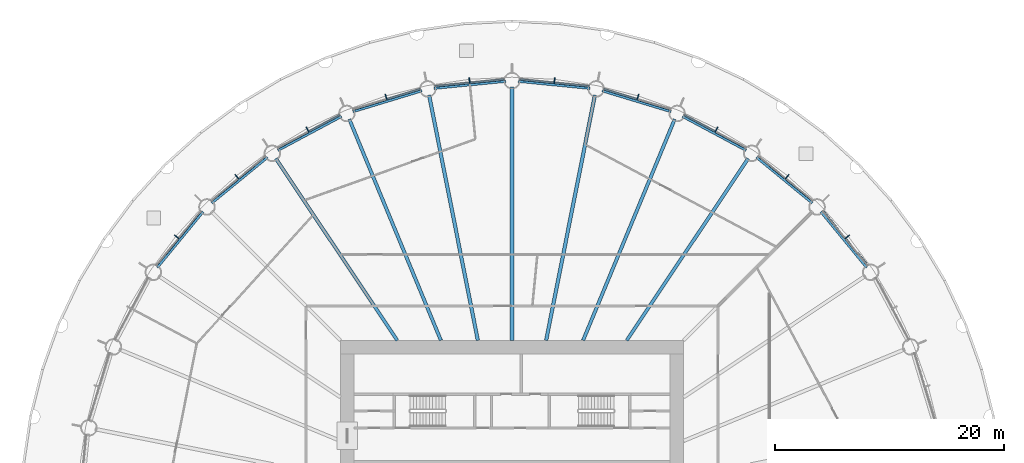
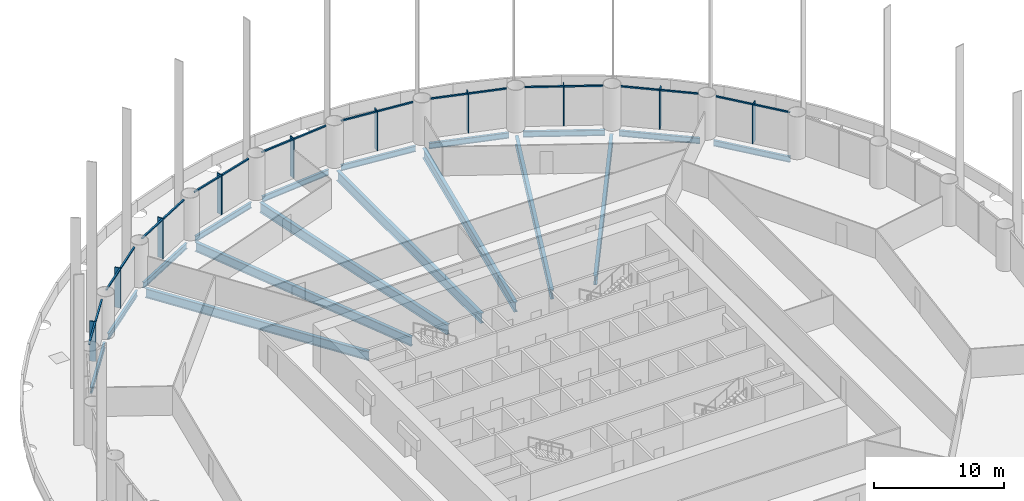
# One storey, part 5 of 17: 30 members, 17 beams, 10 elements without a shape of their own.
"""IFC4 building model written with IfcOpenShell, lengths in metres."""

from ifc_helpers import new_model, si_unit, direction, frame, origin, origin_2d, place, context, subcontext, project, spatial, rectangle, i_section, extrude, material, material_profile, profile_set, type_object, element, aggregate, save


model = new_model("IFC4")

# Units and contexts
model_context = context("Model", 3, precision=1e-05, world=origin(), true_north=direction((0.0, 1.0)))
body_context = subcontext(model_context, "Body", "Model", "MODEL_VIEW")
ifc_project = project(units=[si_unit("LENGTHUNIT", "METRE"), si_unit("AREAUNIT", "SQUARE_METRE"), si_unit("VOLUMEUNIT", "CUBIC_METRE"), si_unit("PLANEANGLEUNIT", "RADIAN"), si_unit("MASSUNIT", "GRAM", prefix="KILO")], contexts=[model_context])

# Site, building, storey
site_placement = place(None, origin())
site = spatial("IfcSite", under=ifc_project, at=site_placement, CompositionType="ELEMENT")
building_placement = place(site_placement, origin())
building = spatial("IfcBuilding", under=site, at=building_placement, Name="Corvane Civic Tower", CompositionType="ELEMENT")
storey_placement = place(building_placement, frame((0.0, 0.0, 37.0)))
storey = spatial("IfcBuildingStorey", under=building, at=storey_placement, Name="L07", CompositionType="ELEMENT", Elevation=37.0)

# Beams
ifc_material_1 = material(Name="Steel ASTM A992 Gr 50", Category="steel")
ifc_material_profile_1 = material_profile(ifc_material_1, i_section(OverallWidth=0.209228515625, OverallDepth=0.533447265625, WebThickness=0.01025390625, FlangeThickness=0.015625, at=origin_2d()), Name="W21X62")
ifc_profile_set_1 = profile_set([ifc_material_profile_1], Name="Steel ASTM A992 Gr 50")
beam_type_1 = type_object("IfcBeamType", Name="EDGE BEAM W21X62", PredefinedType="BEAM", material=ifc_profile_set_1)
beam_1_placement = place(storey_placement, frame((0.54736328125, 37.64599609375, -0.566650390625), z_axis=(0.995186682089, -0.097997284622, 0.0), x_axis=(0.097997284622, 0.995186682089, 0.0)))
element("IfcBeam", 1, at=beam_1_placement, inside=storey, type_object=beam_type_1, Name="BM-L07-E01", PredefinedType="BEAM", context=body_context, shape_type="SweptSolid", body=[
    extrude(i_section(OverallWidth=0.209228515625, OverallDepth=0.533447265625, WebThickness=0.01025390625, FlangeThickness=0.015625, at=origin_2d()), origin(), (0.0, 0.0, 1.0), 6.29052734375),
])
for number, where, z_axis, x_axis, name in (
    (2, (7.88134765625, 36.81591796875, -0.566650390625), (0.956943740748, -0.290273452184, 0.0), (0.290273452184, 0.956943740748, 0.0), "BM-L07-E02"),
    (3, (14.912353515625, 34.571044921875, -0.566650390625), (0.881916367906, -0.471405897311, 0.0), (0.471405897311, 0.881916367906, 0.0), "BM-L07-E03"),
):
    element("IfcBeam", number, at=place(storey_placement, frame(where, z_axis=z_axis, x_axis=x_axis)), inside=storey, type_object=beam_type_1, Name=name, PredefinedType="BEAM", context=body_context, shape_type="SweptSolid", body=[
        extrude(i_section(OverallWidth=0.209228515625, OverallDepth=0.533447265625, WebThickness=0.01025390625, FlangeThickness=0.015625, at=origin_2d()), origin(), (0.0, 0.0, 1.0), 6.290283203125),
    ])
for number, where, z_axis, x_axis, name in (
    (4, (21.3701171875, 30.99755859375, -0.566650390625), (0.773015785286, -0.634386787141, 0.0), (0.634386787141, 0.773015785286, 0.0), "BM-L07-E04"),
    (5, (27.0068359375, 26.23291015625, -0.566650390625), (0.634386787141, -0.773015785286, 0.0), (0.773015785286, 0.634386787141, 0.0), "BM-L07-E05"),
    (6, (-30.99755859375, 21.3701171875, -0.566650390625), (0.634386787141, 0.773015785286, 0.0), (-0.773015785286, 0.634386787141, 0.0), "BM-L07-E28"),
    (7, (-26.23291015625, 27.0068359375, -0.566650390625), (0.773015785286, 0.634386787141, 0.0), (-0.634386787141, 0.773015785286, 0.0), "BM-L07-E29"),
):
    element("IfcBeam", number, at=place(storey_placement, frame(where, z_axis=z_axis, x_axis=x_axis)), inside=storey, type_object=beam_type_1, Name=name, PredefinedType="BEAM", context=body_context, shape_type="SweptSolid", body=[
        extrude(i_section(OverallWidth=0.209228515625, OverallDepth=0.533447265625, WebThickness=0.01025390625, FlangeThickness=0.015625, at=origin_2d()), origin(), (0.0, 0.0, 1.0), 6.290771484375),
    ])
for number, where, z_axis, x_axis, name in (
    (8, (-20.4599609375, 31.605712890625, -0.566650390625), (0.881916367906, 0.471405897311, 0.0), (-0.471405897311, 0.881916367906, 0.0), "BM-L07-E30"),
    (9, (-13.90087890625, 34.989990234375, -0.566650390625), (0.956943740748, 0.290273452184, 0.0), (-0.290273452184, 0.956943740748, 0.0), "BM-L07-E31"),
):
    element("IfcBeam", number, at=place(storey_placement, frame(where, z_axis=z_axis, x_axis=x_axis)), inside=storey, type_object=beam_type_1, Name=name, PredefinedType="BEAM", context=body_context, shape_type="SweptSolid", body=[
        extrude(i_section(OverallWidth=0.209228515625, OverallDepth=0.533447265625, WebThickness=0.01025390625, FlangeThickness=0.015625, at=origin_2d()), origin(), (0.0, 0.0, 1.0), 6.290283203125),
    ])
beam_2_placement = place(storey_placement, frame((-6.8076171875, 37.029541015625, -0.566650390625), z_axis=(0.995186682089, 0.097997284622, 0.0), x_axis=(-0.097997284622, 0.995186682089, 0.0)))
element("IfcBeam", 10, at=beam_2_placement, inside=storey, type_object=beam_type_1, Name="BM-L07-E32", PredefinedType="BEAM", context=body_context, shape_type="SweptSolid", body=[
    extrude(i_section(OverallWidth=0.209228515625, OverallDepth=0.533447265625, WebThickness=0.01025390625, FlangeThickness=0.015625, at=origin_2d()), origin(), (0.0, 0.0, 1.0), 6.29052734375),
])
ifc_material_2 = material(Name="Steel ASTM A992 Gr 50", Category="steel")
ifc_material_profile_2 = material_profile(ifc_material_2, i_section(OverallWidth=0.2919921875, OverallDepth=0.8583984375, WebThickness=0.01708984375, FlangeThickness=0.031005859375, at=origin_2d()), Name="W33X169")
ifc_profile_set_2 = profile_set([ifc_material_profile_2], Name="Steel ASTM A992 Gr 50")
beam_type_2 = type_object("IfcBeamType", Name="FLOOR GIRDER W33X169", PredefinedType="BEAM", material=ifc_profile_set_2)
beam_3_placement = place(storey_placement, frame((6.213134765625, 15.0, -0.729248046875), z_axis=(0.382692360381, 0.923875834355, 0.0), x_axis=(-0.923875834355, 0.382692360381, 0.0)))
element("IfcBeam", 11, at=beam_3_placement, inside=storey, type_object=beam_type_2, Name="BM-L07-G03", PredefinedType="BEAM", context=body_context, shape_type="SweptSolid", body=[
    extrude(i_section(OverallWidth=0.2919921875, OverallDepth=0.8583984375, WebThickness=0.01708984375, FlangeThickness=0.031005859375, at=origin_2d()), origin(), (0.0, 0.0, 1.0), 20.9140625),
])
for number, where, z_axis, x_axis, name in (
    (12, (10.022705078125, 15.0, -0.729248046875), (0.555566681385, 0.831471985418, 0.0), (-0.831471985418, 0.555566681385, 0.0), "BM-L07-G04"),
    (13, (-10.022705078125, 15.0, -0.729248046875), (-0.555566681385, 0.831471985418, 0.0), (-0.831471985418, -0.555566681385, 0.0), "BM-L07-G30"),
):
    element("IfcBeam", number, at=place(storey_placement, frame(where, z_axis=z_axis, x_axis=x_axis)), inside=storey, type_object=beam_type_2, Name=name, PredefinedType="BEAM", context=body_context, shape_type="SweptSolid", body=[
        extrude(i_section(OverallWidth=0.2919921875, OverallDepth=0.8583984375, WebThickness=0.01708984375, FlangeThickness=0.031005859375, at=origin_2d()), origin(), (0.0, 0.0, 1.0), 19.109619140625),
    ])
beam_4_placement = place(storey_placement, frame((-6.213134765625, 15.0, -0.729248046875), z_axis=(-0.382692360381, 0.923875834355, 0.0), x_axis=(-0.923875834355, -0.382692360381, 0.0)))
element("IfcBeam", 14, at=beam_4_placement, inside=storey, type_object=beam_type_2, Name="BM-L07-G31", PredefinedType="BEAM", context=body_context, shape_type="SweptSolid", body=[
    extrude(i_section(OverallWidth=0.2919921875, OverallDepth=0.8583984375, WebThickness=0.01708984375, FlangeThickness=0.031005859375, at=origin_2d()), origin(), (0.0, 0.0, 1.0), 20.9140625),
])
ifc_material_3 = material(Name="Steel ASTM A992 Gr 50", Category="steel")
ifc_material_profile_3 = material_profile(ifc_material_3, i_section(OverallWidth=0.307373046875, OverallDepth=0.927001953125, WebThickness=0.01953125, FlangeThickness=0.031982421875, at=origin_2d()), Name="W36X194")
ifc_profile_set_3 = profile_set([ifc_material_profile_3], Name="Steel ASTM A992 Gr 50")
beam_type_3 = type_object("IfcBeamType", Name="FLOOR GIRDER W36X194", PredefinedType="BEAM", material=ifc_profile_set_3)
beam_5_placement = place(storey_placement, frame((0.0, 15.0, -0.763671875), z_axis=(0.0, 1.0, 0.0), x_axis=(-1.0, 0.0, 0.0)))
element("IfcBeam", 15, at=beam_5_placement, inside=storey, type_object=beam_type_3, Name="BM-L07-G01", PredefinedType="BEAM", context=body_context, shape_type="SweptSolid", body=[
    extrude(i_section(OverallWidth=0.307373046875, OverallDepth=0.927001953125, WebThickness=0.01953125, FlangeThickness=0.031982421875, at=origin_2d()), origin(), (0.0, 0.0, 1.0), 22.14990234375),
])
for number, where, z_axis, x_axis, name in (
    (16, (2.983642578125, 15.0, -0.763671875), (0.195089219638, 0.980785499679, 0.0), (-0.980785499679, 0.195089219638, 0.0), "BM-L07-G02"),
    (17, (-2.983642578125, 15.0, -0.763671875), (-0.195089219638, 0.980785499679, 0.0), (-0.980785499679, -0.195089219638, 0.0), "BM-L07-G32"),
):
    element("IfcBeam", number, at=place(storey_placement, frame(where, z_axis=z_axis, x_axis=x_axis)), inside=storey, type_object=beam_type_3, Name=name, PredefinedType="BEAM", context=body_context, shape_type="SweptSolid", body=[
        extrude(i_section(OverallWidth=0.307373046875, OverallDepth=0.927001953125, WebThickness=0.01953125, FlangeThickness=0.031982421875, at=origin_2d()), origin(), (0.0, 0.0, 1.0), 21.856201171875),
    ])

# Curtain wall, members
ifc_material_4 = material(Name="Anodised aluminium bronze", Category="aluminium")
curtain_wall_type = type_object("IfcCurtainWallType", Name="TOWER CW-T1 STICK CURTAIN WALL", PredefinedType="NOTDEFINED", material=ifc_material_4)
curtain_wall_1_placement = place(storey_placement, origin())
curtain_wall_1 = element("IfcCurtainWall", 18, at=curtain_wall_1_placement, inside=storey, type_object=curtain_wall_type, Name="Curtain wall CW-T1 L07 bay 01", PredefinedType="NOTDEFINED")
ifc_material_5 = material(Name="Anodised aluminium bronze", Category="aluminium")
ifc_material_profile_4 = material_profile(ifc_material_5, rectangle(XDim=0.139892578125, YDim=0.1201171875, at=origin_2d()), Name="TOWER CW-T1 TRANSOM 140x120")
ifc_profile_set_4 = profile_set([ifc_material_profile_4], Name="Anodised aluminium bronze")
member_type_1 = type_object("IfcMemberType", Name="TOWER CW-T1 TRANSOM 140x120", PredefinedType="USERDEFINED", material=ifc_profile_set_4)
member_1_placement = place(storey_placement, frame((0.6611328125, 37.814697265625, 3.68994140625), z_axis=(0.995191836722, -0.097944923917, 0.0), x_axis=(0.097944923917, 0.995191836722, 0.0)))
member_1 = element("IfcMember", 19, at=member_1_placement, type_object=member_type_1, Name="Transom CW-T1 L07 01.1", ObjectType="TRANSOM", PredefinedType="USERDEFINED", context=body_context, shape_type="SweptSolid", body=[
    extrude(rectangle(XDim=0.139892578125, YDim=0.1201171875, at=origin_2d()), origin(), (0.0, 0.0, 1.0), 3.008544921875),
])
member_2_placement = place(storey_placement, frame((3.73486328125, 37.511962890625, 3.68994140625), z_axis=(0.995191836722, -0.097944923917, 0.0), x_axis=(0.097944923917, 0.995191836722, 0.0)))
member_2 = element("IfcMember", 20, at=member_2_placement, type_object=member_type_1, Name="Transom CW-T1 L07 01.2", ObjectType="TRANSOM", PredefinedType="USERDEFINED", context=body_context, shape_type="SweptSolid", body=[
    extrude(rectangle(XDim=0.139892578125, YDim=0.1201171875, at=origin_2d()), origin(), (0.0, 0.0, 1.0), 3.008544921875),
])

curtain_wall_2_placement = place(storey_placement, origin())
curtain_wall_2 = element("IfcCurtainWall", 21, at=curtain_wall_2_placement, inside=storey, type_object=curtain_wall_type, Name="Curtain wall CW-T1 L07 bay 02", PredefinedType="NOTDEFINED")
member_3_placement = place(storey_placement, frame((8.02587890625, 36.959228515625, 3.68994140625), z_axis=(0.956941780555, -0.290279914268, 0.0), x_axis=(0.290279914268, 0.956941780555, 0.0)))
member_3 = element("IfcMember", 22, at=member_3_placement, type_object=member_type_1, Name="Transom CW-T1 L07 02.1", ObjectType="TRANSOM", PredefinedType="USERDEFINED", context=body_context, shape_type="SweptSolid", body=[
    extrude(rectangle(XDim=0.139892578125, YDim=0.1201171875, at=origin_2d()), origin(), (0.0, 0.0, 1.0), 3.008544921875),
])
member_4_placement = place(storey_placement, frame((10.9814453125, 36.062744140625, 3.68994140625), z_axis=(0.956941780555, -0.290279914268, 0.0), x_axis=(0.290279914268, 0.956941780555, 0.0)))
member_4 = element("IfcMember", 23, at=member_4_placement, type_object=member_type_1, Name="Transom CW-T1 L07 02.2", ObjectType="TRANSOM", PredefinedType="USERDEFINED", context=body_context, shape_type="SweptSolid", body=[
    extrude(rectangle(XDim=0.139892578125, YDim=0.1201171875, at=origin_2d()), origin(), (0.0, 0.0, 1.0), 3.008544921875),
])

curtain_wall_3_placement = place(storey_placement, origin())
curtain_wall_3 = element("IfcCurtainWall", 24, at=curtain_wall_3_placement, inside=storey, type_object=curtain_wall_type, Name="Curtain wall CW-T1 L07 bay 03", PredefinedType="NOTDEFINED")
member_5_placement = place(storey_placement, frame((15.08203125, 34.683349609375, 3.68994140625), z_axis=(0.881923525532, -0.471392506424, 0.0), x_axis=(0.471392506424, 0.881923525532, 0.0)))
member_5 = element("IfcMember", 25, at=member_5_placement, type_object=member_type_1, Name="Transom CW-T1 L07 03.1", ObjectType="TRANSOM", PredefinedType="USERDEFINED", context=body_context, shape_type="SweptSolid", body=[
    extrude(rectangle(XDim=0.139892578125, YDim=0.1201171875, at=origin_2d()), origin(), (0.0, 0.0, 1.0), 3.008544921875),
])
member_6_placement = place(storey_placement, frame((17.805908203125, 33.2275390625, 3.68994140625), z_axis=(0.881923525532, -0.471392506424, 0.0), x_axis=(0.471392506424, 0.881923525532, 0.0)))
member_6 = element("IfcMember", 26, at=member_6_placement, type_object=member_type_1, Name="Transom CW-T1 L07 03.2", ObjectType="TRANSOM", PredefinedType="USERDEFINED", context=body_context, shape_type="SweptSolid", body=[
    extrude(rectangle(XDim=0.139892578125, YDim=0.1201171875, at=origin_2d()), origin(), (0.0, 0.0, 1.0), 3.008544921875),
])

curtain_wall_4_placement = place(storey_placement, origin())
curtain_wall_4 = element("IfcCurtainWall", 27, at=curtain_wall_4_placement, inside=storey, type_object=curtain_wall_type, Name="Curtain wall CW-T1 L07 bay 04", PredefinedType="NOTDEFINED")
member_7_placement = place(storey_placement, frame((21.55859375, 31.074462890625, 3.68994140625), z_axis=(0.773041738279, -0.634355161466, 0.0), x_axis=(0.634355161466, 0.773041738279, 0.0)))
member_7 = element("IfcMember", 28, at=member_7_placement, type_object=member_type_1, Name="Transom CW-T1 L07 04.1", ObjectType="TRANSOM", PredefinedType="USERDEFINED", context=body_context, shape_type="SweptSolid", body=[
    extrude(rectangle(XDim=0.139892578125, YDim=0.1201171875, at=origin_2d()), origin(), (0.0, 0.0, 1.0), 3.008544921875),
])
member_8_placement = place(storey_placement, frame((23.946044921875, 29.115234375, 3.68994140625), z_axis=(0.773001943873, -0.634403652865, 0.0), x_axis=(0.634403652865, 0.773001943873, 0.0)))
member_8 = element("IfcMember", 29, at=member_8_placement, type_object=member_type_1, Name="Transom CW-T1 L07 04.2", ObjectType="TRANSOM", PredefinedType="USERDEFINED", context=body_context, shape_type="SweptSolid", body=[
    extrude(rectangle(XDim=0.139892578125, YDim=0.1201171875, at=origin_2d()), origin(), (0.0, 0.0, 1.0), 3.008544921875),
])

curtain_wall_5_placement = place(storey_placement, origin())
curtain_wall_5 = element("IfcCurtainWall", 30, at=curtain_wall_5_placement, inside=storey, type_object=curtain_wall_type, Name="Curtain wall CW-T1 L07 bay 05", PredefinedType="NOTDEFINED")
member_9_placement = place(storey_placement, frame((27.20654296875, 26.271728515625, 3.68994140625), z_axis=(0.634403652865, -0.773001943873, 0.0), x_axis=(0.773001943873, 0.634403652865, 0.0)))
member_9 = element("IfcMember", 31, at=member_9_placement, type_object=member_type_1, Name="Transom CW-T1 L07 05.1", ObjectType="TRANSOM", PredefinedType="USERDEFINED", context=body_context, shape_type="SweptSolid", body=[
    extrude(rectangle(XDim=0.139892578125, YDim=0.1201171875, at=origin_2d()), origin(), (0.0, 0.0, 1.0), 3.008544921875),
])
member_10_placement = place(storey_placement, frame((29.166015625, 23.88427734375, 3.68994140625), z_axis=(0.634355161466, -0.773041738279, 0.0), x_axis=(0.773041738279, 0.634355161466, 0.0)))
member_10 = element("IfcMember", 32, at=member_10_placement, type_object=member_type_1, Name="Transom CW-T1 L07 05.2", ObjectType="TRANSOM", PredefinedType="USERDEFINED", context=body_context, shape_type="SweptSolid", body=[
    extrude(rectangle(XDim=0.139892578125, YDim=0.1201171875, at=origin_2d()), origin(), (0.0, 0.0, 1.0), 3.008544921875),
])

curtain_wall_6_placement = place(storey_placement, origin())
curtain_wall_6 = element("IfcCurtainWall", 33, at=curtain_wall_6_placement, inside=storey, type_object=curtain_wall_type, Name="Curtain wall CW-T1 L07 bay 28", PredefinedType="NOTDEFINED")
member_11_placement = place(storey_placement, frame((-31.074462890625, 21.55859375, 3.68994140625), z_axis=(0.634355161466, 0.773041738279, 0.0), x_axis=(-0.773041738279, 0.634355161466, 0.0)))
member_11 = element("IfcMember", 34, at=member_11_placement, type_object=member_type_1, Name="Transom CW-T1 L07 28.1", ObjectType="TRANSOM", PredefinedType="USERDEFINED", context=body_context, shape_type="SweptSolid", body=[
    extrude(rectangle(XDim=0.139892578125, YDim=0.1201171875, at=origin_2d()), origin(), (0.0, 0.0, 1.0), 3.008544921875),
])
member_12_placement = place(storey_placement, frame((-29.115234375, 23.946044921875, 3.68994140625), z_axis=(0.634403652865, 0.773001943873, 0.0), x_axis=(-0.773001943873, 0.634403652865, 0.0)))
member_12 = element("IfcMember", 35, at=member_12_placement, type_object=member_type_1, Name="Transom CW-T1 L07 28.2", ObjectType="TRANSOM", PredefinedType="USERDEFINED", context=body_context, shape_type="SweptSolid", body=[
    extrude(rectangle(XDim=0.139892578125, YDim=0.1201171875, at=origin_2d()), origin(), (0.0, 0.0, 1.0), 3.008544921875),
])

curtain_wall_7_placement = place(storey_placement, origin())
curtain_wall_7 = element("IfcCurtainWall", 36, at=curtain_wall_7_placement, inside=storey, type_object=curtain_wall_type, Name="Curtain wall CW-T1 L07 bay 29", PredefinedType="NOTDEFINED")
member_13_placement = place(storey_placement, frame((-26.271728515625, 27.20654296875, 3.68994140625), z_axis=(0.773001943873, 0.634403652865, 0.0), x_axis=(-0.634403652865, 0.773001943873, 0.0)))
member_13 = element("IfcMember", 37, at=member_13_placement, type_object=member_type_1, Name="Transom CW-T1 L07 29.1", ObjectType="TRANSOM", PredefinedType="USERDEFINED", context=body_context, shape_type="SweptSolid", body=[
    extrude(rectangle(XDim=0.139892578125, YDim=0.1201171875, at=origin_2d()), origin(), (0.0, 0.0, 1.0), 3.008544921875),
])
member_14_placement = place(storey_placement, frame((-23.88427734375, 29.166015625, 3.68994140625), z_axis=(0.773041738279, 0.634355161466, 0.0), x_axis=(-0.634355161466, 0.773041738279, 0.0)))
member_14 = element("IfcMember", 38, at=member_14_placement, type_object=member_type_1, Name="Transom CW-T1 L07 29.2", ObjectType="TRANSOM", PredefinedType="USERDEFINED", context=body_context, shape_type="SweptSolid", body=[
    extrude(rectangle(XDim=0.139892578125, YDim=0.1201171875, at=origin_2d()), origin(), (0.0, 0.0, 1.0), 3.008544921875),
])

curtain_wall_8_placement = place(storey_placement, origin())
curtain_wall_8 = element("IfcCurtainWall", 39, at=curtain_wall_8_placement, inside=storey, type_object=curtain_wall_type, Name="Curtain wall CW-T1 L07 bay 30", PredefinedType="NOTDEFINED")
member_15_placement = place(storey_placement, frame((-20.459228515625, 31.809326171875, 3.68994140625), z_axis=(0.881923525532, 0.471392506424, 0.0), x_axis=(-0.471392506424, 0.881923525532, 0.0)))
member_15 = element("IfcMember", 40, at=member_15_placement, type_object=member_type_1, Name="Transom CW-T1 L07 30.1", ObjectType="TRANSOM", PredefinedType="USERDEFINED", context=body_context, shape_type="SweptSolid", body=[
    extrude(rectangle(XDim=0.139892578125, YDim=0.1201171875, at=origin_2d()), origin(), (0.0, 0.0, 1.0), 3.008544921875),
])
member_16_placement = place(storey_placement, frame((-17.7353515625, 33.26513671875, 3.68994140625), z_axis=(0.881923525532, 0.471392506424, 0.0), x_axis=(-0.471392506424, 0.881923525532, 0.0)))
member_16 = element("IfcMember", 41, at=member_16_placement, type_object=member_type_1, Name="Transom CW-T1 L07 30.2", ObjectType="TRANSOM", PredefinedType="USERDEFINED", context=body_context, shape_type="SweptSolid", body=[
    extrude(rectangle(XDim=0.139892578125, YDim=0.1201171875, at=origin_2d()), origin(), (0.0, 0.0, 1.0), 3.008544921875),
])

curtain_wall_9_placement = place(storey_placement, origin())
curtain_wall_9 = element("IfcCurtainWall", 42, at=curtain_wall_9_placement, inside=storey, type_object=curtain_wall_type, Name="Curtain wall CW-T1 L07 bay 31", PredefinedType="NOTDEFINED")
member_17_placement = place(storey_placement, frame((-13.8603515625, 35.189453125, 3.68994140625), z_axis=(0.956941780555, 0.290279914268, 0.0), x_axis=(-0.290279914268, 0.956941780555, 0.0)))
member_17 = element("IfcMember", 43, at=member_17_placement, type_object=member_type_1, Name="Transom CW-T1 L07 31.1", ObjectType="TRANSOM", PredefinedType="USERDEFINED", context=body_context, shape_type="SweptSolid", body=[
    extrude(rectangle(XDim=0.139892578125, YDim=0.1201171875, at=origin_2d()), origin(), (0.0, 0.0, 1.0), 3.008544921875),
])
member_18_placement = place(storey_placement, frame((-10.90478515625, 36.0859375, 3.68994140625), z_axis=(0.956941780555, 0.290279914268, 0.0), x_axis=(-0.290279914268, 0.956941780555, 0.0)))
member_18 = element("IfcMember", 44, at=member_18_placement, type_object=member_type_1, Name="Transom CW-T1 L07 31.2", ObjectType="TRANSOM", PredefinedType="USERDEFINED", context=body_context, shape_type="SweptSolid", body=[
    extrude(rectangle(XDim=0.139892578125, YDim=0.1201171875, at=origin_2d()), origin(), (0.0, 0.0, 1.0), 3.008544921875),
])

curtain_wall_10_placement = place(storey_placement, origin())
curtain_wall_10 = element("IfcCurtainWall", 45, at=curtain_wall_10_placement, inside=storey, type_object=curtain_wall_type, Name="Curtain wall CW-T1 L07 bay 32", PredefinedType="NOTDEFINED")
member_19_placement = place(storey_placement, frame((-6.72900390625, 37.21728515625, 3.68994140625), z_axis=(0.995191836722, 0.097944923917, 0.0), x_axis=(-0.097944923917, 0.995191836722, 0.0)))
member_19 = element("IfcMember", 46, at=member_19_placement, type_object=member_type_1, Name="Transom CW-T1 L07 32.1", ObjectType="TRANSOM", PredefinedType="USERDEFINED", context=body_context, shape_type="SweptSolid", body=[
    extrude(rectangle(XDim=0.139892578125, YDim=0.1201171875, at=origin_2d()), origin(), (0.0, 0.0, 1.0), 3.008544921875),
])
member_20_placement = place(storey_placement, frame((-3.6552734375, 37.52001953125, 3.68994140625), z_axis=(0.995191836722, 0.097944923917, 0.0), x_axis=(-0.097944923917, 0.995191836722, 0.0)))
member_20 = element("IfcMember", 47, at=member_20_placement, type_object=member_type_1, Name="Transom CW-T1 L07 32.2", ObjectType="TRANSOM", PredefinedType="USERDEFINED", context=body_context, shape_type="SweptSolid", body=[
    extrude(rectangle(XDim=0.139892578125, YDim=0.1201171875, at=origin_2d()), origin(), (0.0, 0.0, 1.0), 3.008544921875),
])

# Member
ifc_material_6 = material(Name="Anodised aluminium bronze", Category="aluminium")
ifc_material_profile_5 = material_profile(ifc_material_6, rectangle(XDim=0.080078125, YDim=0.5, at=origin_2d()), Name="TOWER FIN MULLION 80x500 BRONZE")
ifc_profile_set_5 = profile_set([ifc_material_profile_5], Name="Anodised aluminium bronze")
member_type_2 = type_object("IfcMemberType", Name="TOWER FIN MULLION 80x500 BRONZE", PredefinedType="MULLION", material=ifc_profile_set_5)
member_21_placement = place(storey_placement, frame((3.714599609375, 37.715087890625, 0.0), z_axis=(0.0, 0.0, 1.0), x_axis=(0.995185800248, -0.098006239521, 0.0)))
member_21 = element("IfcMember", 48, at=member_21_placement, type_object=member_type_2, Name="Fin mullion 01 L07", PredefinedType="MULLION", context=body_context, shape_type="SweptSolid", body=[
    extrude(rectangle(XDim=0.080078125, YDim=0.5, at=origin_2d()), origin(), (0.0, 0.0, 1.0), 3.75),
])

aggregate(curtain_wall_1, [member_21, member_1, member_2])

member_22_placement = place(storey_placement, frame((11.001220703125, 36.265625, 0.0), z_axis=(0.0, 0.0, 1.0), x_axis=(0.956942240606, -0.290278397654, 0.0)))
member_22 = element("IfcMember", 49, at=member_22_placement, type_object=member_type_2, Name="Fin mullion 02 L07", PredefinedType="MULLION", context=body_context, shape_type="SweptSolid", body=[
    extrude(rectangle(XDim=0.080078125, YDim=0.5, at=origin_2d()), origin(), (0.0, 0.0, 1.0), 3.75),
])

aggregate(curtain_wall_2, [member_22, member_3, member_4])

member_23_placement = place(storey_placement, frame((17.86474609375, 33.422607421875, 0.0), z_axis=(0.0, 0.0, 1.0), x_axis=(0.881917528864, -0.471403725359, 0.0)))
member_23 = element("IfcMember", 50, at=member_23_placement, type_object=member_type_2, Name="Fin mullion 03 L07", PredefinedType="MULLION", context=body_context, shape_type="SweptSolid", body=[
    extrude(rectangle(XDim=0.080078125, YDim=0.5, at=origin_2d()), origin(), (0.0, 0.0, 1.0), 3.75),
])

aggregate(curtain_wall_3, [member_23, member_5, member_6])

member_24_placement = place(storey_placement, frame((24.0419921875, 29.295166015625, 0.0), z_axis=(0.0, 0.0, 1.0), x_axis=(0.773007224463, -0.634397218569, 0.0)))
member_24 = element("IfcMember", 51, at=member_24_placement, type_object=member_type_2, Name="Fin mullion 04 L07", PredefinedType="MULLION", context=body_context, shape_type="SweptSolid", body=[
    extrude(rectangle(XDim=0.080078125, YDim=0.5, at=origin_2d()), origin(), (0.0, 0.0, 1.0), 3.75),
])

aggregate(curtain_wall_4, [member_24, member_7, member_8])

member_25_placement = place(storey_placement, frame((29.295166015625, 24.0419921875, 0.0), z_axis=(0.0, 0.0, 1.0), x_axis=(0.634397218569, -0.773007224463, 0.0)))
member_25 = element("IfcMember", 52, at=member_25_placement, type_object=member_type_2, Name="Fin mullion 05 L07", PredefinedType="MULLION", context=body_context, shape_type="SweptSolid", body=[
    extrude(rectangle(XDim=0.080078125, YDim=0.5, at=origin_2d()), origin(), (0.0, 0.0, 1.0), 3.75),
])

aggregate(curtain_wall_5, [member_25, member_9, member_10])

member_26_placement = place(storey_placement, frame((-29.295166015625, 24.0419921875, 0.0), z_axis=(0.0, 0.0, 1.0), x_axis=(0.634397218569, 0.773007224463, 0.0)))
member_26 = element("IfcMember", 53, at=member_26_placement, type_object=member_type_2, Name="Fin mullion 28 L07", PredefinedType="MULLION", context=body_context, shape_type="SweptSolid", body=[
    extrude(rectangle(XDim=0.080078125, YDim=0.5, at=origin_2d()), origin(), (0.0, 0.0, 1.0), 3.75),
])

aggregate(curtain_wall_6, [member_26, member_11, member_12])

member_27_placement = place(storey_placement, frame((-24.0419921875, 29.295166015625, 0.0), z_axis=(0.0, 0.0, 1.0), x_axis=(0.773007224463, 0.634397218569, 0.0)))
member_27 = element("IfcMember", 54, at=member_27_placement, type_object=member_type_2, Name="Fin mullion 29 L07", PredefinedType="MULLION", context=body_context, shape_type="SweptSolid", body=[
    extrude(rectangle(XDim=0.080078125, YDim=0.5, at=origin_2d()), origin(), (0.0, 0.0, 1.0), 3.75),
])

aggregate(curtain_wall_7, [member_27, member_13, member_14])

member_28_placement = place(storey_placement, frame((-17.86474609375, 33.422607421875, 0.0), z_axis=(0.0, 0.0, 1.0), x_axis=(0.881917528864, 0.471403725359, 0.0)))
member_28 = element("IfcMember", 55, at=member_28_placement, type_object=member_type_2, Name="Fin mullion 30 L07", PredefinedType="MULLION", context=body_context, shape_type="SweptSolid", body=[
    extrude(rectangle(XDim=0.080078125, YDim=0.5, at=origin_2d()), origin(), (0.0, 0.0, 1.0), 3.75),
])

aggregate(curtain_wall_8, [member_28, member_15, member_16])

member_29_placement = place(storey_placement, frame((-11.001220703125, 36.265625, 0.0), z_axis=(0.0, 0.0, 1.0), x_axis=(0.956942240606, 0.290278397654, 0.0)))
member_29 = element("IfcMember", 56, at=member_29_placement, type_object=member_type_2, Name="Fin mullion 31 L07", PredefinedType="MULLION", context=body_context, shape_type="SweptSolid", body=[
    extrude(rectangle(XDim=0.080078125, YDim=0.5, at=origin_2d()), origin(), (0.0, 0.0, 1.0), 3.75),
])

aggregate(curtain_wall_9, [member_29, member_17, member_18])

member_30_placement = place(storey_placement, frame((-3.714599609375, 37.715087890625, 0.0), z_axis=(0.0, 0.0, 1.0), x_axis=(0.995185800248, 0.098006239521, 0.0)))
member_30 = element("IfcMember", 57, at=member_30_placement, type_object=member_type_2, Name="Fin mullion 32 L07", PredefinedType="MULLION", context=body_context, shape_type="SweptSolid", body=[
    extrude(rectangle(XDim=0.080078125, YDim=0.5, at=origin_2d()), origin(), (0.0, 0.0, 1.0), 3.75),
])

aggregate(curtain_wall_10, [member_30, member_19, member_20])

save(model, "model.ifc")
